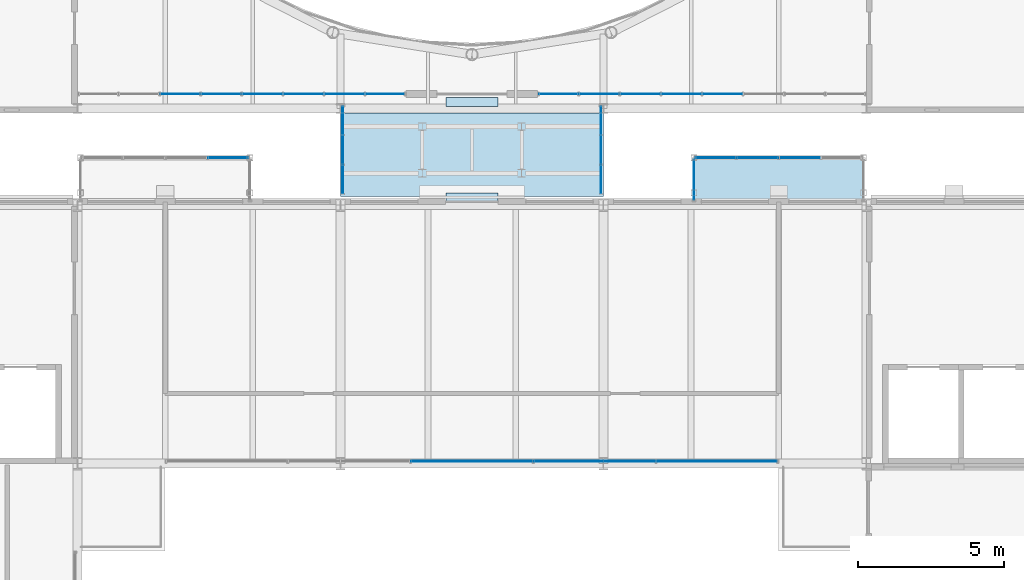
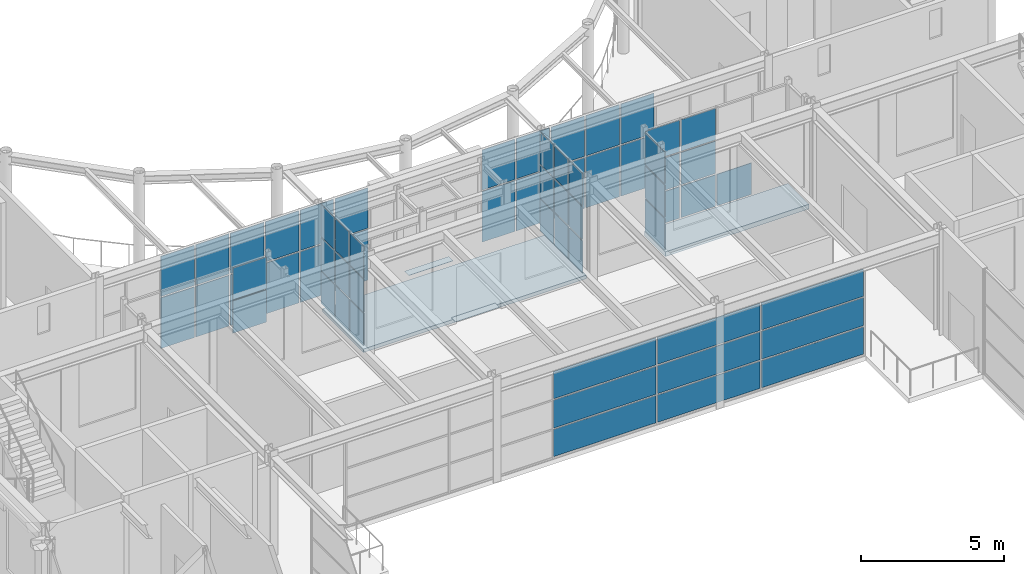
# One storey, part 61 of 111: 63 plates, 2 slabs, 8 elements without a shape of their own.
"""IFC4 building model written with IfcOpenShell, lengths in metres."""

import ifcopenshell
import ifcopenshell.guid

model = None  # the IFC model being written
_history = None  # IfcOwnerHistory: only IFC2X3 demands one
_inside = {}  # id of a spatial element -> (the spatial element, [elements in it])
_under = {}  # id of a project, library or spatial element -> (it, [spatial elements below it])
_declared = {}  # id of a project -> (the project, [libraries it declares])
_typed = {}  # id of a type object -> (the type object, [elements of that type])
_made_of = {}  # id of a material, layer set ... -> (it, [elements and type objects made of it])


def new_model(schema):
    """Start an empty IFC model of exactly this schema.

    Asked for "IFC4X3", IfcOpenShell would pick the latest addendum, in which some entities
    have other attributes; the version numbers below select the first issue.
    IFC2X3 requires an IfcOwnerHistory on every rooted entity: one is made here for all.
    """
    global model, _history
    if schema == "IFC4X3":
        model = ifcopenshell.file(schema_version=(4, 3, 0, 0))
    else:
        model = ifcopenshell.file(schema=schema)
    _inside.clear()
    _under.clear()
    _declared.clear()
    _typed.clear()
    _made_of.clear()
    _history = None
    if model.schema == "IFC2X3":
        org = make("IfcOrganization", Name="unknown")
        user = make(
            "IfcPersonAndOrganization",
            ThePerson=make("IfcPerson", FamilyName="unknown"),
            TheOrganization=org,
        )
        app = make(
            "IfcApplication",
            ApplicationDeveloper=org,
            Version="unknown",
            ApplicationFullName="unknown",
            ApplicationIdentifier="unknown",
        )
        _history = make(
            "IfcOwnerHistory",
            OwningUser=user,
            OwningApplication=app,
            ChangeAction="ADDED",
            CreationDate=0,
        )
    return model


def make(cls, **values):
    """One entity of the class cls with the attributes given. An attribute that is None is left unset."""
    return model.create_entity(
        cls, **{name: value for name, value in values.items() if value is not None}
    )


def rooted(cls, **values):
    """An entity with a GlobalId (a new one), such as an element, a storey or a relation."""
    return make(cls, GlobalId=ifcopenshell.guid.new(), OwnerHistory=_history, **values)


def si_unit(unit_type, name, prefix=None):
    """IfcSIUnit, for example si_unit("LENGTHUNIT", "METRE", prefix="MILLI")."""
    return make("IfcSIUnit", UnitType=unit_type, Prefix=prefix, Name=name)


def assignment(units):
    """IfcUnitAssignment: the units of a project."""
    return None if units is None else make("IfcUnitAssignment", Units=units)


def point(xyz):
    """IfcCartesianPoint."""
    return None if xyz is None else make("IfcCartesianPoint", Coordinates=xyz)


def direction(xyz):
    """IfcDirection."""
    return None if xyz is None else make("IfcDirection", DirectionRatios=xyz)


def frame(location, z_axis=None, x_axis=None):
    """IfcAxis2Placement3D, a coordinate frame: its origin and axes. An axis left out is left unset."""
    return make(
        "IfcAxis2Placement3D",
        Location=point(location),
        Axis=direction(z_axis),
        RefDirection=direction(x_axis),
    )


def frame_2d(location, x_axis=None):
    """IfcAxis2Placement2D, a coordinate frame in the plane: its origin and x axis."""
    return make(
        "IfcAxis2Placement2D", Location=point(location), RefDirection=direction(x_axis)
    )


def origin():
    """The frame at (0, 0, 0) with its axes left unset."""
    return frame((0.0, 0.0, 0.0))


def origin_2d():
    """The frame at (0, 0) in the plane with its x axis left unset."""
    return frame_2d((0.0, 0.0))


def place(relative_to, where):
    """IfcLocalPlacement: puts the frame where relative to a parent placement (None: the world)."""
    return make(
        "IfcLocalPlacement", PlacementRelTo=relative_to, RelativePlacement=where
    )


def context(
    kind, dimensions, precision=None, world=None, true_north=None, identifier=None
):
    """IfcGeometricRepresentationContext, for example the 3D "Model" context."""
    return make(
        "IfcGeometricRepresentationContext",
        ContextIdentifier=identifier,
        ContextType=kind,
        CoordinateSpaceDimension=dimensions,
        Precision=precision,
        WorldCoordinateSystem=world,
        TrueNorth=true_north,
    )


def subcontext(parent, identifier, kind, view, scale=None):
    """IfcGeometricRepresentationSubContext, for example "Body" below "Model"."""
    return make(
        "IfcGeometricRepresentationSubContext",
        ContextIdentifier=identifier,
        ContextType=kind,
        ParentContext=parent,
        TargetScale=scale,
        TargetView=view,
    )


def project(units=None, contexts=None):
    """IfcProject with its units and contexts."""
    return rooted(
        "IfcProject",
        Name="project",
        RepresentationContexts=contexts,
        UnitsInContext=assignment(units),
    )


def spatial(cls, under=None, at=None, **own):
    """A site, building, storey or space (cls), placed at a placement, below another one or the project."""
    s = rooted(cls, ObjectPlacement=at, **own)
    if under is not None:
        _under.setdefault(under.id(), (under, []))[1].append(s)
    return s


def polyline(points):
    """IfcPolyline through the points."""
    return make("IfcPolyline", Points=[point(p) for p in points])


def profile(cls, at=None, kind="AREA", **sizes):
    """A parametric profile (cls). Its sizes go by their IFC names, for example OverallWidth=200.0."""
    return make(cls, ProfileType=kind, Position=at, **sizes)


def rectangle(**sizes):
    """IfcRectangleProfileDef."""
    return profile("IfcRectangleProfileDef", **sizes)


def outline(outer, holes=None, kind="AREA"):
    """IfcArbitraryClosedProfileDef: a profile drawn as a closed curve; with holes, ...WithVoids."""
    if holes is None:
        return make("IfcArbitraryClosedProfileDef", ProfileType=kind, OuterCurve=outer)
    return make(
        "IfcArbitraryProfileDefWithVoids",
        ProfileType=kind,
        OuterCurve=outer,
        InnerCurves=holes,
    )


def extrude(swept, where, along, depth):
    """IfcExtrudedAreaSolid: the profile swept, set in the frame where, extruded along a direction by depth."""
    return make(
        "IfcExtrudedAreaSolid",
        SweptArea=swept,
        Position=where,
        ExtrudedDirection=direction(along),
        Depth=depth,
    )


def shape(context_of_items, identifier, shape_type, items):
    """IfcShapeRepresentation: the items that make up one representation, for example the "Body"."""
    return make(
        "IfcShapeRepresentation",
        ContextOfItems=context_of_items,
        RepresentationIdentifier=identifier,
        RepresentationType=shape_type,
        Items=items,
    )


def material(Name=None, Category=None):
    """IfcMaterial."""
    return make("IfcMaterial", Name=Name, Category=Category)


def layer(
    of_material, thickness, ventilated=None, Name=None, Category=None, Priority=None
):
    """IfcMaterialLayer: one layer of a wall or slab, of a material (None: an air gap)."""
    return make(
        "IfcMaterialLayer",
        Material=of_material,
        LayerThickness=thickness,
        IsVentilated=ventilated,
        Name=Name,
        Category=Category,
        Priority=Priority,
    )


def layer_set(layers, Name=None):
    """IfcMaterialLayerSet."""
    return make("IfcMaterialLayerSet", MaterialLayers=layers, LayerSetName=Name)


def made_of(thing, what):
    """Note that an element or type object is made of a material, layer set ...; save() writes the relation."""
    if what is not None:
        _made_of.setdefault(what.id(), (what, []))[1].append(thing)
    return thing


def type_object(cls, material=None, **own):
    """A type object (cls), such as IfcWallType, which elements share."""
    return made_of(rooted(cls, **own), material)


def element(
    cls,
    number,
    at=None,
    inside=None,
    cuts=None,
    type_object=None,
    material=None,
    context=None,
    identifier="Body",
    shape_type=None,
    held_by="IfcProductDefinitionShape",
    body=None,
    shapes=None,
    **own,
):
    """One element of the class cls, such as IfcWall. Its Tag is "e" and its number.

    at: its placement. inside: the storey or other place that contains it. cuts: it is an
    opening in that element (IfcRelVoidsElement). A single representation is given by context,
    identifier, shape_type and body (its items); several are given by shapes. held_by: the class
    of the entity that holds the representations. save() writes the other relations.
    """
    e = rooted(cls, Tag="e%d" % number, ObjectPlacement=at, **own)
    if body is not None:
        shapes = [shape(context, identifier, shape_type, body)]
    if shapes is not None:
        e.Representation = make(held_by, Representations=shapes)
    if inside is not None:
        _inside.setdefault(inside.id(), (inside, []))[1].append(e)
    if cuts is not None:
        rooted(
            "IfcRelVoidsElement", RelatingBuildingElement=cuts, RelatedOpeningElement=e
        )
    if type_object is not None:
        _typed.setdefault(type_object.id(), (type_object, []))[1].append(e)
    return made_of(e, material)


def aggregate(whole, parts):
    """IfcRelAggregates: a whole, such as a stair, and the parts it consists of."""
    return rooted("IfcRelAggregates", RelatingObject=whole, RelatedObjects=parts)


def save(model, path):
    """Write the relations noted so far, then the file.

    IfcRelAggregates (storeys below a building ...), IfcRelContainedInSpatialStructure (elements
    in a storey), IfcRelDefinesByType, IfcRelAssociatesMaterial and IfcRelDeclares: one each for
    every whole, place, type object, material and project.
    """
    for whole, parts in _under.values():
        aggregate(whole, parts)
    for where, things in _inside.values():
        rooted(
            "IfcRelContainedInSpatialStructure",
            RelatedElements=things,
            RelatingStructure=where,
        )
    for kind, things in _typed.values():
        rooted("IfcRelDefinesByType", RelatedObjects=things, RelatingType=kind)
    for what, things in _made_of.values():
        rooted("IfcRelAssociatesMaterial", RelatedObjects=things, RelatingMaterial=what)
    for by, libraries in _declared.values():
        rooted("IfcRelDeclares", RelatingContext=by, RelatedDefinitions=libraries)
    model.write(path)


model = new_model("IFC4")

# Units and contexts
model_context = context("Model", 3, precision=1e-05, world=origin(), true_north=direction((0.0, 1.0)))
body_context = subcontext(model_context, "Body", "Model", "MODEL_VIEW")
ifc_project = project(units=[si_unit("LENGTHUNIT", "METRE"), si_unit("AREAUNIT", "SQUARE_METRE"), si_unit("VOLUMEUNIT", "CUBIC_METRE"), si_unit("PLANEANGLEUNIT", "RADIAN"), si_unit("MASSUNIT", "GRAM", prefix="KILO")], contexts=[model_context])

# Site, building, storey
site_placement = place(None, origin())
site = spatial("IfcSite", under=ifc_project, at=site_placement, CompositionType="ELEMENT")
building_placement = place(site_placement, origin())
building = spatial("IfcBuilding", under=site, at=building_placement, Name="Kallimachos Central Library", CompositionType="ELEMENT")
storey_placement = place(building_placement, frame((0.0, 0.0, 14.39990234375)))
storey = spatial("IfcBuildingStorey", under=building, at=storey_placement, Name="L03", CompositionType="ELEMENT", Elevation=14.39990234375)

# Curtain wall, plates
ifc_material_1 = material(Name="Aluminium and laminated glass", Category="aluminium")
curtain_wall_type_1 = type_object("IfcCurtainWallType", Name="Atrium glazed screen", PredefinedType="NOTDEFINED", material=ifc_material_1)
curtain_wall_1_placement = place(storey_placement, origin())
curtain_wall_1 = element("IfcCurtainWall", 1, at=curtain_wall_1_placement, inside=storey, type_object=curtain_wall_type_1, Name="L03 atrium screen N", PredefinedType="NOTDEFINED")
ifc_material_2 = material(Name="Laminated glass", Category="glass")
ifc_layer_1 = layer(ifc_material_2, 0.028076171875)
ifc_layer_set_1 = layer_set([ifc_layer_1], Name="Atrium screen glass panel")
plate_type_1 = type_object("IfcPlateType", Name="Atrium screen glass panel", PredefinedType="CURTAIN_PANEL", material=ifc_layer_set_1)
plate_1_placement = place(storey_placement, frame((88.0, 75.080078125, 0.06005859375), z_axis=(0.0, 0.0, 1.0), x_axis=(1.0, 0.0, 0.0)))
plate_1 = element("IfcPlate", 2, at=plate_1_placement, type_object=plate_type_1, Name="CW panel 3.1", PredefinedType="CURTAIN_PANEL", context=body_context, shape_type="SweptSolid", body=[
    extrude(rectangle(XDim=4.139892578125, YDim=0.028076171875, at=origin_2d()), origin(), (0.0, 0.0, 1.0), 1.159912109375),
])
plate_2_placement = place(storey_placement, frame((88.0, 75.080078125, 1.280029296875), z_axis=(0.0, 0.0, 1.0), x_axis=(1.0, 0.0, 0.0)))
plate_2 = element("IfcPlate", 3, at=plate_2_placement, type_object=plate_type_1, Name="CW panel 3.2", PredefinedType="CURTAIN_PANEL", context=body_context, shape_type="SweptSolid", body=[
    extrude(rectangle(XDim=4.139892578125, YDim=0.028076171875, at=origin_2d()), origin(), (0.0, 0.0, 1.0), 1.18994140625),
])
plate_3_placement = place(storey_placement, frame((88.0, 75.080078125, 2.5302734375), z_axis=(0.0, 0.0, 1.0), x_axis=(1.0, 0.0, 0.0)))
plate_3 = element("IfcPlate", 4, at=plate_3_placement, type_object=plate_type_1, Name="CW panel 3.3", PredefinedType="CURTAIN_PANEL", context=body_context, shape_type="SweptSolid", body=[
    extrude(rectangle(XDim=4.139892578125, YDim=0.028076171875, at=origin_2d()), origin(), (0.0, 0.0, 1.0), 1.159912109375),
])
plate_4_placement = place(storey_placement, frame((92.199951171875, 75.080078125, 0.06005859375), z_axis=(0.0, 0.0, 1.0), x_axis=(1.0, 0.0, 0.0)))
plate_4 = element("IfcPlate", 5, at=plate_4_placement, type_object=plate_type_1, Name="CW panel 4.1", PredefinedType="CURTAIN_PANEL", context=body_context, shape_type="SweptSolid", body=[
    extrude(rectangle(XDim=4.139892578125, YDim=0.028076171875, at=origin_2d()), origin(), (0.0, 0.0, 1.0), 1.159912109375),
])
plate_5_placement = place(storey_placement, frame((92.199951171875, 75.080078125, 1.280029296875), z_axis=(0.0, 0.0, 1.0), x_axis=(1.0, 0.0, 0.0)))
plate_5 = element("IfcPlate", 6, at=plate_5_placement, type_object=plate_type_1, Name="CW panel 4.2", PredefinedType="CURTAIN_PANEL", context=body_context, shape_type="SweptSolid", body=[
    extrude(rectangle(XDim=4.139892578125, YDim=0.028076171875, at=origin_2d()), origin(), (0.0, 0.0, 1.0), 1.18994140625),
])
plate_6_placement = place(storey_placement, frame((92.199951171875, 75.080078125, 2.5302734375), z_axis=(0.0, 0.0, 1.0), x_axis=(1.0, 0.0, 0.0)))
plate_6 = element("IfcPlate", 7, at=plate_6_placement, type_object=plate_type_1, Name="CW panel 4.3", PredefinedType="CURTAIN_PANEL", context=body_context, shape_type="SweptSolid", body=[
    extrude(rectangle(XDim=4.139892578125, YDim=0.028076171875, at=origin_2d()), origin(), (0.0, 0.0, 1.0), 1.159912109375),
])
plate_7_placement = place(storey_placement, frame((96.385009765625, 75.080078125, 0.06005859375), z_axis=(0.0, 0.0, 1.0), x_axis=(1.0, 0.0, 0.0)))
plate_7 = element("IfcPlate", 8, at=plate_7_placement, type_object=plate_type_1, Name="CW panel 5.1", PredefinedType="CURTAIN_PANEL", context=body_context, shape_type="SweptSolid", body=[
    extrude(rectangle(XDim=4.110107421875, YDim=0.028076171875, at=origin_2d()), origin(), (0.0, 0.0, 1.0), 1.159912109375),
])
plate_8_placement = place(storey_placement, frame((96.385009765625, 75.080078125, 1.280029296875), z_axis=(0.0, 0.0, 1.0), x_axis=(1.0, 0.0, 0.0)))
plate_8 = element("IfcPlate", 9, at=plate_8_placement, type_object=plate_type_1, Name="CW panel 5.2", PredefinedType="CURTAIN_PANEL", context=body_context, shape_type="SweptSolid", body=[
    extrude(rectangle(XDim=4.110107421875, YDim=0.028076171875, at=origin_2d()), origin(), (0.0, 0.0, 1.0), 1.18994140625),
])
plate_9_placement = place(storey_placement, frame((96.385009765625, 75.080078125, 2.5302734375), z_axis=(0.0, 0.0, 1.0), x_axis=(1.0, 0.0, 0.0)))
plate_9 = element("IfcPlate", 10, at=plate_9_placement, type_object=plate_type_1, Name="CW panel 5.3", PredefinedType="CURTAIN_PANEL", context=body_context, shape_type="SweptSolid", body=[
    extrude(rectangle(XDim=4.110107421875, YDim=0.028076171875, at=origin_2d()), origin(), (0.0, 0.0, 1.0), 1.159912109375),
])
aggregate(curtain_wall_1, [plate_1, plate_2, plate_3, plate_4, plate_5, plate_6, plate_7, plate_8, plate_9])

# Slab
ifc_material_3 = material(Name="Composite slab C30/37 on steel deck", Category="concrete")
ifc_layer_2 = layer(ifc_material_3, 0.14990234375)
ifc_layer_set_2 = layer_set([ifc_layer_2], Name="Composite floor slab 150")
slab_type_1 = type_object("IfcSlabType", Name="Composite floor slab 150", PredefinedType="FLOOR", material=ifc_layer_set_2)
slab_1_placement = place(storey_placement, frame((0.0, 0.0, -0.14990234375)))
element("IfcSlab", 11, at=slab_1_placement, inside=storey, type_object=slab_type_1, Name="Reading Link floor L03", PredefinedType="FLOOR", context=body_context, shape_type="SweptSolid", body=[
    extrude(outline(polyline([(92.5, 84.14990234375), (83.5, 84.14990234375), (83.5, 87.0), (92.5, 87.0), (92.5, 84.14990234375)])), origin(), (0.0, 0.0, 1.0), 0.14990234375),
])

# Plates
ifc_material_4 = material(Name="Stainless steel plate", Category="steel")
ifc_layer_3 = layer(ifc_material_4, 0.011962890625)
ifc_layer_set_3 = layer_set([ifc_layer_3], Name="Joint cover plate")
plate_type_2 = type_object("IfcPlateType", Name="Joint cover plate", PredefinedType="SHEET", material=ifc_layer_set_3)
for number, where, z_axis, x_axis, name in (
    (12, (88.0, 84.10791015625, 0.0), (0.0, 0.0, 1.0), (1.0, 0.0, 0.0), "Reading Link joint cover plate L03"),
    (13, (88.0, 87.375, 0.0), (0.0, 0.0, 1.0), (1.0, 0.0, 0.0), "Reading Link joint cover plate L03"),
):
    element("IfcPlate", number, at=place(storey_placement, frame(where, z_axis=z_axis, x_axis=x_axis)), inside=storey, type_object=plate_type_2, Name=name, PredefinedType="SHEET", context=body_context, shape_type="SweptSolid", body=[
        extrude(rectangle(XDim=1.780029296875, YDim=0.300048828125, at=origin_2d()), origin(), (0.0, 0.0, 1.0), 0.011962890625),
    ])

# Curtain wall, plates
ifc_material_5 = material(Name="Anodised aluminium and laminated glass", Category="aluminium")
ifc_layer_4 = layer(ifc_material_5, 0.159912109375)
ifc_layer_set_4 = layer_set([ifc_layer_4], Name="Glass box curtain wall")
curtain_wall_type_2 = type_object("IfcCurtainWallType", Name="Glass box curtain wall", PredefinedType="NOTDEFINED", material=ifc_layer_set_4)
curtain_wall_2_placement = place(storey_placement, origin())
curtain_wall_2 = element("IfcCurtainWall", 14, at=curtain_wall_2_placement, inside=storey, type_object=curtain_wall_type_2, Name="Glass box curtain wall S L03", PredefinedType="NOTDEFINED")
ifc_material_6 = material(Name="Laminated glass", Category="glass")
ifc_layer_5 = layer(ifc_material_6, 0.028076171875)
ifc_layer_set_5 = layer_set([ifc_layer_5], Name="Laminated glass panel 28")
plate_type_3 = type_object("IfcPlateType", Name="Laminated glass panel 28", PredefinedType="CURTAIN_PANEL", material=ifc_layer_set_5)
plate_10_placement = place(storey_placement, frame((78.015625, 87.64990234375, 0.06005859375), z_axis=(0.0, 0.0, 1.0), x_axis=(1.0, 0.0, 0.0)))
plate_10 = element("IfcPlate", 15, at=plate_10_placement, type_object=plate_type_3, Name="CW21 panel 3.1", PredefinedType="CURTAIN_PANEL", context=body_context, shape_type="SweptSolid", body=[
    extrude(rectangle(XDim=1.34619140625, YDim=0.028076171875, at=origin_2d()), origin(), (0.0, 0.0, 1.0), 2.159912109375),
])
plate_11_placement = place(storey_placement, frame((78.015625, 87.64990234375, 2.280029296875), z_axis=(0.0, 0.0, 1.0), x_axis=(1.0, 0.0, 0.0)))
plate_11 = element("IfcPlate", 16, at=plate_11_placement, type_object=plate_type_3, Name="CW21 panel 3.2", PredefinedType="CURTAIN_PANEL", context=body_context, shape_type="SweptSolid", body=[
    extrude(rectangle(XDim=1.34619140625, YDim=0.028076171875, at=origin_2d()), origin(), (0.0, 0.0, 1.0), 1.7099609375),
])
plate_12_placement = place(storey_placement, frame((79.421875, 87.64990234375, 0.06005859375), z_axis=(0.0, 0.0, 1.0), x_axis=(1.0, 0.0, 0.0)))
plate_12 = element("IfcPlate", 17, at=plate_12_placement, type_object=plate_type_3, Name="CW21 panel 4.1", PredefinedType="CURTAIN_PANEL", context=body_context, shape_type="SweptSolid", body=[
    extrude(rectangle(XDim=1.34619140625, YDim=0.028076171875, at=origin_2d()), origin(), (0.0, 0.0, 1.0), 2.159912109375),
])
plate_13_placement = place(storey_placement, frame((79.421875, 87.64990234375, 2.280029296875), z_axis=(0.0, 0.0, 1.0), x_axis=(1.0, 0.0, 0.0)))
plate_13 = element("IfcPlate", 18, at=plate_13_placement, type_object=plate_type_3, Name="CW21 panel 4.2", PredefinedType="CURTAIN_PANEL", context=body_context, shape_type="SweptSolid", body=[
    extrude(rectangle(XDim=1.34619140625, YDim=0.028076171875, at=origin_2d()), origin(), (0.0, 0.0, 1.0), 1.7099609375),
])
plate_14_placement = place(storey_placement, frame((80.828125, 87.64990234375, 0.06005859375), z_axis=(0.0, 0.0, 1.0), x_axis=(1.0, 0.0, 0.0)))
plate_14 = element("IfcPlate", 19, at=plate_14_placement, type_object=plate_type_3, Name="CW21 panel 5.1", PredefinedType="CURTAIN_PANEL", context=body_context, shape_type="SweptSolid", body=[
    extrude(rectangle(XDim=1.34619140625, YDim=0.028076171875, at=origin_2d()), origin(), (0.0, 0.0, 1.0), 2.159912109375),
])
plate_15_placement = place(storey_placement, frame((80.828125, 87.64990234375, 2.280029296875), z_axis=(0.0, 0.0, 1.0), x_axis=(1.0, 0.0, 0.0)))
plate_15 = element("IfcPlate", 20, at=plate_15_placement, type_object=plate_type_3, Name="CW21 panel 5.2", PredefinedType="CURTAIN_PANEL", context=body_context, shape_type="SweptSolid", body=[
    extrude(rectangle(XDim=1.34619140625, YDim=0.028076171875, at=origin_2d()), origin(), (0.0, 0.0, 1.0), 1.7099609375),
])
plate_16_placement = place(storey_placement, frame((82.234375, 87.64990234375, 0.06005859375), z_axis=(0.0, 0.0, 1.0), x_axis=(1.0, 0.0, 0.0)))
plate_16 = element("IfcPlate", 21, at=plate_16_placement, type_object=plate_type_3, Name="CW21 panel 6.1", PredefinedType="CURTAIN_PANEL", context=body_context, shape_type="SweptSolid", body=[
    extrude(rectangle(XDim=1.34619140625, YDim=0.028076171875, at=origin_2d()), origin(), (0.0, 0.0, 1.0), 2.159912109375),
])
plate_17_placement = place(storey_placement, frame((82.234375, 87.64990234375, 2.280029296875), z_axis=(0.0, 0.0, 1.0), x_axis=(1.0, 0.0, 0.0)))
plate_17 = element("IfcPlate", 22, at=plate_17_placement, type_object=plate_type_3, Name="CW21 panel 6.2", PredefinedType="CURTAIN_PANEL", context=body_context, shape_type="SweptSolid", body=[
    extrude(rectangle(XDim=1.34619140625, YDim=0.028076171875, at=origin_2d()), origin(), (0.0, 0.0, 1.0), 1.7099609375),
])
plate_18_placement = place(storey_placement, frame((83.640625, 87.64990234375, 0.06005859375), z_axis=(0.0, 0.0, 1.0), x_axis=(1.0, 0.0, 0.0)))
plate_18 = element("IfcPlate", 23, at=plate_18_placement, type_object=plate_type_3, Name="CW21 panel 7.1", PredefinedType="CURTAIN_PANEL", context=body_context, shape_type="SweptSolid", body=[
    extrude(rectangle(XDim=1.34619140625, YDim=0.028076171875, at=origin_2d()), origin(), (0.0, 0.0, 1.0), 2.159912109375),
])
plate_19_placement = place(storey_placement, frame((83.640625, 87.64990234375, 2.280029296875), z_axis=(0.0, 0.0, 1.0), x_axis=(1.0, 0.0, 0.0)))
plate_19 = element("IfcPlate", 24, at=plate_19_placement, type_object=plate_type_3, Name="CW21 panel 7.2", PredefinedType="CURTAIN_PANEL", context=body_context, shape_type="SweptSolid", body=[
    extrude(rectangle(XDim=1.34619140625, YDim=0.028076171875, at=origin_2d()), origin(), (0.0, 0.0, 1.0), 1.7099609375),
])
plate_20_placement = place(storey_placement, frame((85.031982421875, 87.64990234375, 0.06005859375), z_axis=(0.0, 0.0, 1.0), x_axis=(1.0, 0.0, 0.0)))
plate_20 = element("IfcPlate", 25, at=plate_20_placement, type_object=plate_type_3, Name="CW21 panel 8.1", PredefinedType="CURTAIN_PANEL", context=body_context, shape_type="SweptSolid", body=[
    extrude(rectangle(XDim=1.316162109375, YDim=0.028076171875, at=origin_2d()), origin(), (0.0, 0.0, 1.0), 2.159912109375),
])
plate_21_placement = place(storey_placement, frame((85.031982421875, 87.64990234375, 2.280029296875), z_axis=(0.0, 0.0, 1.0), x_axis=(1.0, 0.0, 0.0)))
plate_21 = element("IfcPlate", 26, at=plate_21_placement, type_object=plate_type_3, Name="CW21 panel 8.2", PredefinedType="CURTAIN_PANEL", context=body_context, shape_type="SweptSolid", body=[
    extrude(rectangle(XDim=1.316162109375, YDim=0.028076171875, at=origin_2d()), origin(), (0.0, 0.0, 1.0), 1.7099609375),
])
aggregate(curtain_wall_2, [plate_10, plate_11, plate_12, plate_13, plate_14, plate_15, plate_16, plate_17, plate_18, plate_19, plate_20, plate_21])

curtain_wall_3_placement = place(storey_placement, origin())
curtain_wall_3 = element("IfcCurtainWall", 27, at=curtain_wall_3_placement, inside=storey, type_object=curtain_wall_type_2, Name="Glass box curtain wall S L03", PredefinedType="NOTDEFINED")
plate_22_placement = place(storey_placement, frame((90.968017578125, 87.64990234375, 0.06005859375), z_axis=(0.0, 0.0, 1.0), x_axis=(1.0, 0.0, 0.0)))
plate_22 = element("IfcPlate", 28, at=plate_22_placement, type_object=plate_type_3, Name="CW22 panel 1.1", PredefinedType="CURTAIN_PANEL", context=body_context, shape_type="SweptSolid", body=[
    extrude(rectangle(XDim=1.316162109375, YDim=0.028076171875, at=origin_2d()), origin(), (0.0, 0.0, 1.0), 2.159912109375),
])
plate_23_placement = place(storey_placement, frame((90.968017578125, 87.64990234375, 2.280029296875), z_axis=(0.0, 0.0, 1.0), x_axis=(1.0, 0.0, 0.0)))
plate_23 = element("IfcPlate", 29, at=plate_23_placement, type_object=plate_type_3, Name="CW22 panel 1.2", PredefinedType="CURTAIN_PANEL", context=body_context, shape_type="SweptSolid", body=[
    extrude(rectangle(XDim=1.316162109375, YDim=0.028076171875, at=origin_2d()), origin(), (0.0, 0.0, 1.0), 1.7099609375),
])
plate_24_placement = place(storey_placement, frame((92.359375, 87.64990234375, 0.06005859375), z_axis=(0.0, 0.0, 1.0), x_axis=(1.0, 0.0, 0.0)))
plate_24 = element("IfcPlate", 30, at=plate_24_placement, type_object=plate_type_3, Name="CW22 panel 2.1", PredefinedType="CURTAIN_PANEL", context=body_context, shape_type="SweptSolid", body=[
    extrude(rectangle(XDim=1.34619140625, YDim=0.028076171875, at=origin_2d()), origin(), (0.0, 0.0, 1.0), 2.159912109375),
])
plate_25_placement = place(storey_placement, frame((92.359375, 87.64990234375, 2.280029296875), z_axis=(0.0, 0.0, 1.0), x_axis=(1.0, 0.0, 0.0)))
plate_25 = element("IfcPlate", 31, at=plate_25_placement, type_object=plate_type_3, Name="CW22 panel 2.2", PredefinedType="CURTAIN_PANEL", context=body_context, shape_type="SweptSolid", body=[
    extrude(rectangle(XDim=1.34619140625, YDim=0.028076171875, at=origin_2d()), origin(), (0.0, 0.0, 1.0), 1.7099609375),
])
plate_26_placement = place(storey_placement, frame((93.765625, 87.64990234375, 0.06005859375), z_axis=(0.0, 0.0, 1.0), x_axis=(1.0, 0.0, 0.0)))
plate_26 = element("IfcPlate", 32, at=plate_26_placement, type_object=plate_type_3, Name="CW22 panel 3.1", PredefinedType="CURTAIN_PANEL", context=body_context, shape_type="SweptSolid", body=[
    extrude(rectangle(XDim=1.34619140625, YDim=0.028076171875, at=origin_2d()), origin(), (0.0, 0.0, 1.0), 2.159912109375),
])
plate_27_placement = place(storey_placement, frame((93.765625, 87.64990234375, 2.280029296875), z_axis=(0.0, 0.0, 1.0), x_axis=(1.0, 0.0, 0.0)))
plate_27 = element("IfcPlate", 33, at=plate_27_placement, type_object=plate_type_3, Name="CW22 panel 3.2", PredefinedType="CURTAIN_PANEL", context=body_context, shape_type="SweptSolid", body=[
    extrude(rectangle(XDim=1.34619140625, YDim=0.028076171875, at=origin_2d()), origin(), (0.0, 0.0, 1.0), 1.7099609375),
])
plate_28_placement = place(storey_placement, frame((95.171875, 87.64990234375, 0.06005859375), z_axis=(0.0, 0.0, 1.0), x_axis=(1.0, 0.0, 0.0)))
plate_28 = element("IfcPlate", 34, at=plate_28_placement, type_object=plate_type_3, Name="CW22 panel 4.1", PredefinedType="CURTAIN_PANEL", context=body_context, shape_type="SweptSolid", body=[
    extrude(rectangle(XDim=1.34619140625, YDim=0.028076171875, at=origin_2d()), origin(), (0.0, 0.0, 1.0), 2.159912109375),
])
plate_29_placement = place(storey_placement, frame((95.171875, 87.64990234375, 2.280029296875), z_axis=(0.0, 0.0, 1.0), x_axis=(1.0, 0.0, 0.0)))
plate_29 = element("IfcPlate", 35, at=plate_29_placement, type_object=plate_type_3, Name="CW22 panel 4.2", PredefinedType="CURTAIN_PANEL", context=body_context, shape_type="SweptSolid", body=[
    extrude(rectangle(XDim=1.34619140625, YDim=0.028076171875, at=origin_2d()), origin(), (0.0, 0.0, 1.0), 1.7099609375),
])
plate_30_placement = place(storey_placement, frame((96.578125, 87.64990234375, 0.06005859375), z_axis=(0.0, 0.0, 1.0), x_axis=(1.0, 0.0, 0.0)))
plate_30 = element("IfcPlate", 36, at=plate_30_placement, type_object=plate_type_3, Name="CW22 panel 5.1", PredefinedType="CURTAIN_PANEL", context=body_context, shape_type="SweptSolid", body=[
    extrude(rectangle(XDim=1.34619140625, YDim=0.028076171875, at=origin_2d()), origin(), (0.0, 0.0, 1.0), 2.159912109375),
])
plate_31_placement = place(storey_placement, frame((96.578125, 87.64990234375, 2.280029296875), z_axis=(0.0, 0.0, 1.0), x_axis=(1.0, 0.0, 0.0)))
plate_31 = element("IfcPlate", 37, at=plate_31_placement, type_object=plate_type_3, Name="CW22 panel 5.2", PredefinedType="CURTAIN_PANEL", context=body_context, shape_type="SweptSolid", body=[
    extrude(rectangle(XDim=1.34619140625, YDim=0.028076171875, at=origin_2d()), origin(), (0.0, 0.0, 1.0), 1.7099609375),
])
aggregate(curtain_wall_3, [plate_22, plate_23, plate_24, plate_25, plate_26, plate_27, plate_28, plate_29, plate_30, plate_31])

ifc_material_7 = material(Name="Aluminium and laminated glass", Category="aluminium")
curtain_wall_type_3 = type_object("IfcCurtainWallType", Name="Link glazed wall", PredefinedType="NOTDEFINED", material=ifc_material_7)
curtain_wall_4_placement = place(storey_placement, origin())
curtain_wall_4 = element("IfcCurtainWall", 38, at=curtain_wall_4_placement, inside=storey, type_object=curtain_wall_type_3, Name="Reading Link glazed wall L03", PredefinedType="NOTDEFINED")
plate_32_placement = place(storey_placement, frame((83.580078125, 84.7275390625, 0.06005859375), z_axis=(0.0, 0.0, 1.0), x_axis=(0.0, 1.0, 0.0)))
plate_32 = element("IfcPlate", 39, at=plate_32_placement, type_object=plate_type_3, Name="CW68 panel 1.1", PredefinedType="CURTAIN_PANEL", context=body_context, shape_type="SweptSolid", body=[
    extrude(rectangle(XDim=0.93505859375, YDim=0.028076171875, at=origin_2d()), origin(), (0.0, 0.0, 1.0), 1.360107421875),
])
plate_33_placement = place(storey_placement, frame((83.580078125, 84.7275390625, 1.47998046875), z_axis=(0.0, 0.0, 1.0), x_axis=(0.0, 1.0, 0.0)))
plate_33 = element("IfcPlate", 40, at=plate_33_placement, type_object=plate_type_3, Name="CW68 panel 1.2", PredefinedType="CURTAIN_PANEL", context=body_context, shape_type="SweptSolid", body=[
    extrude(rectangle(XDim=0.93505859375, YDim=0.028076171875, at=origin_2d()), origin(), (0.0, 0.0, 1.0), 1.389892578125),
])
plate_34_placement = place(storey_placement, frame((83.580078125, 84.7275390625, 2.93017578125), z_axis=(0.0, 0.0, 1.0), x_axis=(0.0, 1.0, 0.0)))
plate_34 = element("IfcPlate", 41, at=plate_34_placement, type_object=plate_type_3, Name="CW68 panel 1.3", PredefinedType="CURTAIN_PANEL", context=body_context, shape_type="SweptSolid", body=[
    extrude(rectangle(XDim=0.93505859375, YDim=0.028076171875, at=origin_2d()), origin(), (0.0, 0.0, 1.0), 1.360107421875),
])
plate_35_placement = place(storey_placement, frame((83.580078125, 85.737548828125, 0.06005859375), z_axis=(0.0, 0.0, 1.0), x_axis=(0.0, 1.0, 0.0)))
plate_35 = element("IfcPlate", 42, at=plate_35_placement, type_object=plate_type_3, Name="CW68 panel 2.1", PredefinedType="CURTAIN_PANEL", context=body_context, shape_type="SweptSolid", body=[
    extrude(rectangle(XDim=0.965087890625, YDim=0.028076171875, at=origin_2d()), origin(), (0.0, 0.0, 1.0), 1.360107421875),
])
plate_36_placement = place(storey_placement, frame((83.580078125, 85.737548828125, 1.47998046875), z_axis=(0.0, 0.0, 1.0), x_axis=(0.0, 1.0, 0.0)))
plate_36 = element("IfcPlate", 43, at=plate_36_placement, type_object=plate_type_3, Name="CW68 panel 2.2", PredefinedType="CURTAIN_PANEL", context=body_context, shape_type="SweptSolid", body=[
    extrude(rectangle(XDim=0.965087890625, YDim=0.028076171875, at=origin_2d()), origin(), (0.0, 0.0, 1.0), 1.389892578125),
])
plate_37_placement = place(storey_placement, frame((83.580078125, 85.737548828125, 2.93017578125), z_axis=(0.0, 0.0, 1.0), x_axis=(0.0, 1.0, 0.0)))
plate_37 = element("IfcPlate", 44, at=plate_37_placement, type_object=plate_type_3, Name="CW68 panel 2.3", PredefinedType="CURTAIN_PANEL", context=body_context, shape_type="SweptSolid", body=[
    extrude(rectangle(XDim=0.965087890625, YDim=0.028076171875, at=origin_2d()), origin(), (0.0, 0.0, 1.0), 1.360107421875),
])
plate_38_placement = place(storey_placement, frame((83.580078125, 86.74755859375, 0.06005859375), z_axis=(0.0, 0.0, 1.0), x_axis=(0.0, 1.0, 0.0)))
plate_38 = element("IfcPlate", 45, at=plate_38_placement, type_object=plate_type_3, Name="CW68 panel 3.1", PredefinedType="CURTAIN_PANEL", context=body_context, shape_type="SweptSolid", body=[
    extrude(rectangle(XDim=0.93505859375, YDim=0.028076171875, at=origin_2d()), origin(), (0.0, 0.0, 1.0), 1.360107421875),
])
plate_39_placement = place(storey_placement, frame((83.580078125, 86.74755859375, 1.47998046875), z_axis=(0.0, 0.0, 1.0), x_axis=(0.0, 1.0, 0.0)))
plate_39 = element("IfcPlate", 46, at=plate_39_placement, type_object=plate_type_3, Name="CW68 panel 3.2", PredefinedType="CURTAIN_PANEL", context=body_context, shape_type="SweptSolid", body=[
    extrude(rectangle(XDim=0.93505859375, YDim=0.028076171875, at=origin_2d()), origin(), (0.0, 0.0, 1.0), 1.389892578125),
])
plate_40_placement = place(storey_placement, frame((83.580078125, 86.74755859375, 2.93017578125), z_axis=(0.0, 0.0, 1.0), x_axis=(0.0, 1.0, 0.0)))
plate_40 = element("IfcPlate", 47, at=plate_40_placement, type_object=plate_type_3, Name="CW68 panel 3.3", PredefinedType="CURTAIN_PANEL", context=body_context, shape_type="SweptSolid", body=[
    extrude(rectangle(XDim=0.93505859375, YDim=0.028076171875, at=origin_2d()), origin(), (0.0, 0.0, 1.0), 1.360107421875),
])
aggregate(curtain_wall_4, [plate_32, plate_33, plate_34, plate_35, plate_36, plate_37, plate_38, plate_39, plate_40])

curtain_wall_5_placement = place(storey_placement, origin())
curtain_wall_5 = element("IfcCurtainWall", 48, at=curtain_wall_5_placement, inside=storey, type_object=curtain_wall_type_3, Name="Reading Link glazed wall L03", PredefinedType="NOTDEFINED")
plate_41_placement = place(storey_placement, frame((92.419921875, 84.7275390625, 0.06005859375), z_axis=(0.0, 0.0, 1.0), x_axis=(0.0, 1.0, 0.0)))
plate_41 = element("IfcPlate", 49, at=plate_41_placement, type_object=plate_type_3, Name="CW69 panel 1.1", PredefinedType="CURTAIN_PANEL", context=body_context, shape_type="SweptSolid", body=[
    extrude(rectangle(XDim=0.93505859375, YDim=0.028076171875, at=origin_2d()), origin(), (0.0, 0.0, 1.0), 1.360107421875),
])
plate_42_placement = place(storey_placement, frame((92.419921875, 84.7275390625, 1.47998046875), z_axis=(0.0, 0.0, 1.0), x_axis=(0.0, 1.0, 0.0)))
plate_42 = element("IfcPlate", 50, at=plate_42_placement, type_object=plate_type_3, Name="CW69 panel 1.2", PredefinedType="CURTAIN_PANEL", context=body_context, shape_type="SweptSolid", body=[
    extrude(rectangle(XDim=0.93505859375, YDim=0.028076171875, at=origin_2d()), origin(), (0.0, 0.0, 1.0), 1.389892578125),
])
plate_43_placement = place(storey_placement, frame((92.419921875, 84.7275390625, 2.93017578125), z_axis=(0.0, 0.0, 1.0), x_axis=(0.0, 1.0, 0.0)))
plate_43 = element("IfcPlate", 51, at=plate_43_placement, type_object=plate_type_3, Name="CW69 panel 1.3", PredefinedType="CURTAIN_PANEL", context=body_context, shape_type="SweptSolid", body=[
    extrude(rectangle(XDim=0.93505859375, YDim=0.028076171875, at=origin_2d()), origin(), (0.0, 0.0, 1.0), 1.360107421875),
])
plate_44_placement = place(storey_placement, frame((92.419921875, 85.737548828125, 0.06005859375), z_axis=(0.0, 0.0, 1.0), x_axis=(0.0, 1.0, 0.0)))
plate_44 = element("IfcPlate", 52, at=plate_44_placement, type_object=plate_type_3, Name="CW69 panel 2.1", PredefinedType="CURTAIN_PANEL", context=body_context, shape_type="SweptSolid", body=[
    extrude(rectangle(XDim=0.965087890625, YDim=0.028076171875, at=origin_2d()), origin(), (0.0, 0.0, 1.0), 1.360107421875),
])
plate_45_placement = place(storey_placement, frame((92.419921875, 85.737548828125, 1.47998046875), z_axis=(0.0, 0.0, 1.0), x_axis=(0.0, 1.0, 0.0)))
plate_45 = element("IfcPlate", 53, at=plate_45_placement, type_object=plate_type_3, Name="CW69 panel 2.2", PredefinedType="CURTAIN_PANEL", context=body_context, shape_type="SweptSolid", body=[
    extrude(rectangle(XDim=0.965087890625, YDim=0.028076171875, at=origin_2d()), origin(), (0.0, 0.0, 1.0), 1.389892578125),
])
plate_46_placement = place(storey_placement, frame((92.419921875, 85.737548828125, 2.93017578125), z_axis=(0.0, 0.0, 1.0), x_axis=(0.0, 1.0, 0.0)))
plate_46 = element("IfcPlate", 54, at=plate_46_placement, type_object=plate_type_3, Name="CW69 panel 2.3", PredefinedType="CURTAIN_PANEL", context=body_context, shape_type="SweptSolid", body=[
    extrude(rectangle(XDim=0.965087890625, YDim=0.028076171875, at=origin_2d()), origin(), (0.0, 0.0, 1.0), 1.360107421875),
])
plate_47_placement = place(storey_placement, frame((92.419921875, 86.74755859375, 0.06005859375), z_axis=(0.0, 0.0, 1.0), x_axis=(0.0, 1.0, 0.0)))
plate_47 = element("IfcPlate", 55, at=plate_47_placement, type_object=plate_type_3, Name="CW69 panel 3.1", PredefinedType="CURTAIN_PANEL", context=body_context, shape_type="SweptSolid", body=[
    extrude(rectangle(XDim=0.93505859375, YDim=0.028076171875, at=origin_2d()), origin(), (0.0, 0.0, 1.0), 1.360107421875),
])
plate_48_placement = place(storey_placement, frame((92.419921875, 86.74755859375, 1.47998046875), z_axis=(0.0, 0.0, 1.0), x_axis=(0.0, 1.0, 0.0)))
plate_48 = element("IfcPlate", 56, at=plate_48_placement, type_object=plate_type_3, Name="CW69 panel 3.2", PredefinedType="CURTAIN_PANEL", context=body_context, shape_type="SweptSolid", body=[
    extrude(rectangle(XDim=0.93505859375, YDim=0.028076171875, at=origin_2d()), origin(), (0.0, 0.0, 1.0), 1.389892578125),
])
plate_49_placement = place(storey_placement, frame((92.419921875, 86.74755859375, 2.93017578125), z_axis=(0.0, 0.0, 1.0), x_axis=(0.0, 1.0, 0.0)))
plate_49 = element("IfcPlate", 57, at=plate_49_placement, type_object=plate_type_3, Name="CW69 panel 3.3", PredefinedType="CURTAIN_PANEL", context=body_context, shape_type="SweptSolid", body=[
    extrude(rectangle(XDim=0.93505859375, YDim=0.028076171875, at=origin_2d()), origin(), (0.0, 0.0, 1.0), 1.360107421875),
])
aggregate(curtain_wall_5, [plate_41, plate_42, plate_43, plate_44, plate_45, plate_46, plate_47, plate_48, plate_49])

# Slab
ifc_material_8 = material(Name="Composite slab C30/37 on steel deck", Category="concrete")
ifc_layer_6 = layer(ifc_material_8, 0.199951171875)
ifc_layer_set_6 = layer_set([ifc_layer_6], Name="Tribune bay floor slab 200")
slab_type_2 = type_object("IfcSlabType", Name="Tribune bay floor slab 200", PredefinedType="FLOOR", material=ifc_layer_set_6)
slab_2_placement = place(storey_placement, frame((0.0, 0.0, -0.199951171875)))
element("IfcSlab", 58, at=slab_2_placement, inside=storey, type_object=slab_type_2, Name="Tribune bay N2 floor L03", PredefinedType="FLOOR", context=body_context, shape_type="SweptSolid", body=[
    extrude(outline(polyline([(95.60009765625, 85.466064453125), (101.39990234375, 85.466064453125), (101.39990234375, 84.0), (95.60009765625, 84.0), (95.60009765625, 85.466064453125)])), origin(), (0.0, 0.0, 1.0), 0.199951171875),
])

# Curtain wall, plates
ifc_material_9 = material(Name="Aluminium and laminated glass", Category="aluminium")
curtain_wall_type_4 = type_object("IfcCurtainWallType", Name="Tribune bay glazed screen", PredefinedType="NOTDEFINED", material=ifc_material_9)
curtain_wall_6_placement = place(storey_placement, origin())
curtain_wall_6 = element("IfcCurtainWall", 59, at=curtain_wall_6_placement, inside=storey, type_object=curtain_wall_type_4, Name="Tribune bay N1 L03 front", PredefinedType="NOTDEFINED")
ifc_material_10 = material(Name="Laminated glass", Category="glass")
ifc_layer_7 = layer(ifc_material_10, 0.028076171875)
ifc_layer_set_7 = layer_set([ifc_layer_7], Name="Tribune bay glass panel")
plate_type_4 = type_object("IfcPlateType", Name="Tribune bay glass panel", PredefinedType="CURTAIN_PANEL", material=ifc_layer_set_7)
plate_50_placement = place(storey_placement, frame((79.659912109375, 85.466064453125, 1.46337890625), z_axis=(0.0, 0.0, 1.0), x_axis=(1.0, 0.0, 0.0)))
plate_50 = element("IfcPlate", 60, at=plate_50_placement, type_object=plate_type_4, Name="CW panel 4.2", PredefinedType="CURTAIN_PANEL", context=body_context, shape_type="SweptSolid", body=[
    extrude(rectangle(XDim=1.360107421875, YDim=0.028076171875, at=origin_2d()), origin(), (0.0, 0.0, 1.0), 1.373291015625),
])
plate_51_placement = place(storey_placement, frame((79.659912109375, 85.466064453125, 2.896728515625), z_axis=(0.0, 0.0, 1.0), x_axis=(1.0, 0.0, 0.0)))
plate_51 = element("IfcPlate", 61, at=plate_51_placement, type_object=plate_type_4, Name="CW panel 4.3", PredefinedType="CURTAIN_PANEL", context=body_context, shape_type="SweptSolid", body=[
    extrude(rectangle(XDim=1.360107421875, YDim=0.028076171875, at=origin_2d()), origin(), (0.0, 0.0, 1.0), 1.34326171875),
])
aggregate(curtain_wall_6, [plate_50, plate_51])

curtain_wall_7_placement = place(storey_placement, origin())
curtain_wall_7 = element("IfcCurtainWall", 62, at=curtain_wall_7_placement, inside=storey, type_object=curtain_wall_type_4, Name="Tribune bay N2 L03 front", PredefinedType="NOTDEFINED")
plate_52_placement = place(storey_placement, frame((96.340087890625, 85.466064453125, 0.06005859375), z_axis=(0.0, 0.0, 1.0), x_axis=(1.0, 0.0, 0.0)))
plate_52 = element("IfcPlate", 63, at=plate_52_placement, type_object=plate_type_4, Name="CW panel 1.1", PredefinedType="CURTAIN_PANEL", context=body_context, shape_type="SweptSolid", body=[
    extrude(rectangle(XDim=1.360107421875, YDim=0.028076171875, at=origin_2d()), origin(), (0.0, 0.0, 1.0), 1.34326171875),
])
plate_53_placement = place(storey_placement, frame((96.340087890625, 85.466064453125, 1.46337890625), z_axis=(0.0, 0.0, 1.0), x_axis=(1.0, 0.0, 0.0)))
plate_53 = element("IfcPlate", 64, at=plate_53_placement, type_object=plate_type_4, Name="CW panel 1.2", PredefinedType="CURTAIN_PANEL", context=body_context, shape_type="SweptSolid", body=[
    extrude(rectangle(XDim=1.360107421875, YDim=0.028076171875, at=origin_2d()), origin(), (0.0, 0.0, 1.0), 1.373291015625),
])
plate_54_placement = place(storey_placement, frame((96.340087890625, 85.466064453125, 2.896728515625), z_axis=(0.0, 0.0, 1.0), x_axis=(1.0, 0.0, 0.0)))
plate_54 = element("IfcPlate", 65, at=plate_54_placement, type_object=plate_type_4, Name="CW panel 1.3", PredefinedType="CURTAIN_PANEL", context=body_context, shape_type="SweptSolid", body=[
    extrude(rectangle(XDim=1.360107421875, YDim=0.028076171875, at=origin_2d()), origin(), (0.0, 0.0, 1.0), 1.34326171875),
])
plate_55_placement = place(storey_placement, frame((97.77490234375, 85.466064453125, 0.06005859375), z_axis=(0.0, 0.0, 1.0), x_axis=(1.0, 0.0, 0.0)))
plate_55 = element("IfcPlate", 66, at=plate_55_placement, type_object=plate_type_4, Name="CW panel 2.1", PredefinedType="CURTAIN_PANEL", context=body_context, shape_type="SweptSolid", body=[
    extrude(rectangle(XDim=1.389892578125, YDim=0.028076171875, at=origin_2d()), origin(), (0.0, 0.0, 1.0), 1.34326171875),
])
plate_56_placement = place(storey_placement, frame((97.77490234375, 85.466064453125, 1.46337890625), z_axis=(0.0, 0.0, 1.0), x_axis=(1.0, 0.0, 0.0)))
plate_56 = element("IfcPlate", 67, at=plate_56_placement, type_object=plate_type_4, Name="CW panel 2.2", PredefinedType="CURTAIN_PANEL", context=body_context, shape_type="SweptSolid", body=[
    extrude(rectangle(XDim=1.389892578125, YDim=0.028076171875, at=origin_2d()), origin(), (0.0, 0.0, 1.0), 1.373291015625),
])
plate_57_placement = place(storey_placement, frame((97.77490234375, 85.466064453125, 2.896728515625), z_axis=(0.0, 0.0, 1.0), x_axis=(1.0, 0.0, 0.0)))
plate_57 = element("IfcPlate", 68, at=plate_57_placement, type_object=plate_type_4, Name="CW panel 2.3", PredefinedType="CURTAIN_PANEL", context=body_context, shape_type="SweptSolid", body=[
    extrude(rectangle(XDim=1.389892578125, YDim=0.028076171875, at=origin_2d()), origin(), (0.0, 0.0, 1.0), 1.34326171875),
])
plate_58_placement = place(storey_placement, frame((99.22509765625, 85.466064453125, 0.06005859375), z_axis=(0.0, 0.0, 1.0), x_axis=(1.0, 0.0, 0.0)))
plate_58 = element("IfcPlate", 69, at=plate_58_placement, type_object=plate_type_4, Name="CW panel 3.1", PredefinedType="CURTAIN_PANEL", context=body_context, shape_type="SweptSolid", body=[
    extrude(rectangle(XDim=1.389892578125, YDim=0.028076171875, at=origin_2d()), origin(), (0.0, 0.0, 1.0), 1.34326171875),
])
aggregate(curtain_wall_7, [plate_52, plate_53, plate_54, plate_55, plate_56, plate_57, plate_58])

curtain_wall_8_placement = place(storey_placement, origin())
curtain_wall_8 = element("IfcCurtainWall", 70, at=curtain_wall_8_placement, inside=storey, type_object=curtain_wall_type_4, Name="Tribune bay N2 L03 return 1", PredefinedType="NOTDEFINED")
plate_59_placement = place(storey_placement, frame((95.60009765625, 84.716064453125, 0.06005859375), z_axis=(0.0, 0.0, 1.0), x_axis=(0.0, 1.0, 0.0)))
plate_59 = element("IfcPlate", 71, at=plate_59_placement, type_object=plate_type_4, Name="CW panel 1.1", PredefinedType="CURTAIN_PANEL", context=body_context, shape_type="SweptSolid", body=[
    extrude(rectangle(XDim=1.3798828125, YDim=0.028076171875, at=origin_2d()), origin(), (0.0, 0.0, 1.0), 1.34326171875),
])
plate_60_placement = place(storey_placement, frame((95.60009765625, 84.716064453125, 1.46337890625), z_axis=(0.0, 0.0, 1.0), x_axis=(0.0, 1.0, 0.0)))
plate_60 = element("IfcPlate", 72, at=plate_60_placement, type_object=plate_type_4, Name="CW panel 1.2", PredefinedType="CURTAIN_PANEL", context=body_context, shape_type="SweptSolid", body=[
    extrude(rectangle(XDim=1.3798828125, YDim=0.028076171875, at=origin_2d()), origin(), (0.0, 0.0, 1.0), 1.373291015625),
])
plate_61_placement = place(storey_placement, frame((95.60009765625, 84.716064453125, 2.896728515625), z_axis=(0.0, 0.0, 1.0), x_axis=(0.0, 1.0, 0.0)))
plate_61 = element("IfcPlate", 73, at=plate_61_placement, type_object=plate_type_4, Name="CW panel 1.3", PredefinedType="CURTAIN_PANEL", context=body_context, shape_type="SweptSolid", body=[
    extrude(rectangle(XDim=1.3798828125, YDim=0.028076171875, at=origin_2d()), origin(), (0.0, 0.0, 1.0), 1.34326171875),
])
aggregate(curtain_wall_8, [plate_59, plate_60, plate_61])

save(model, "model.ifc")
